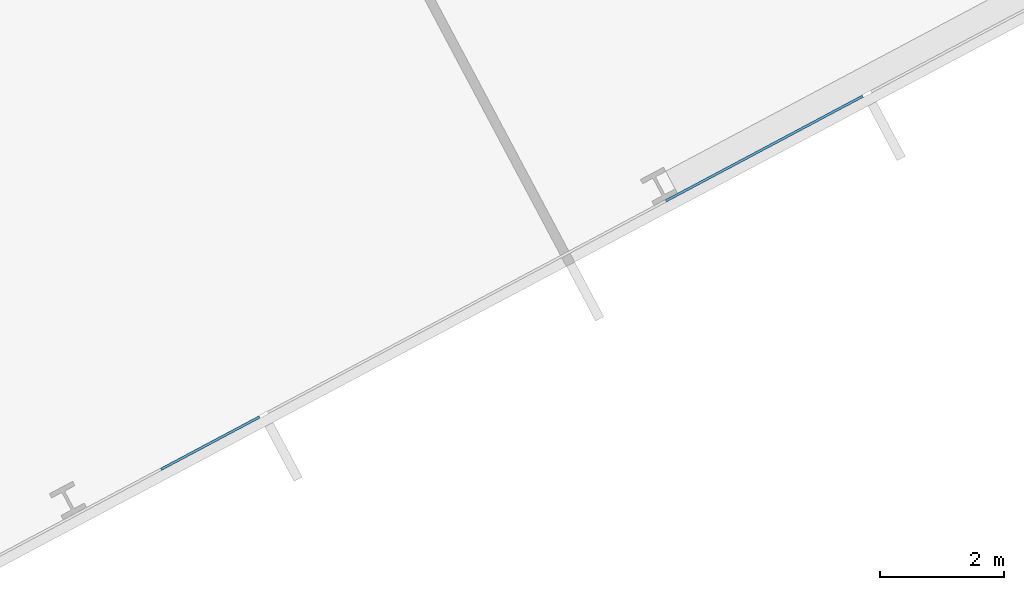
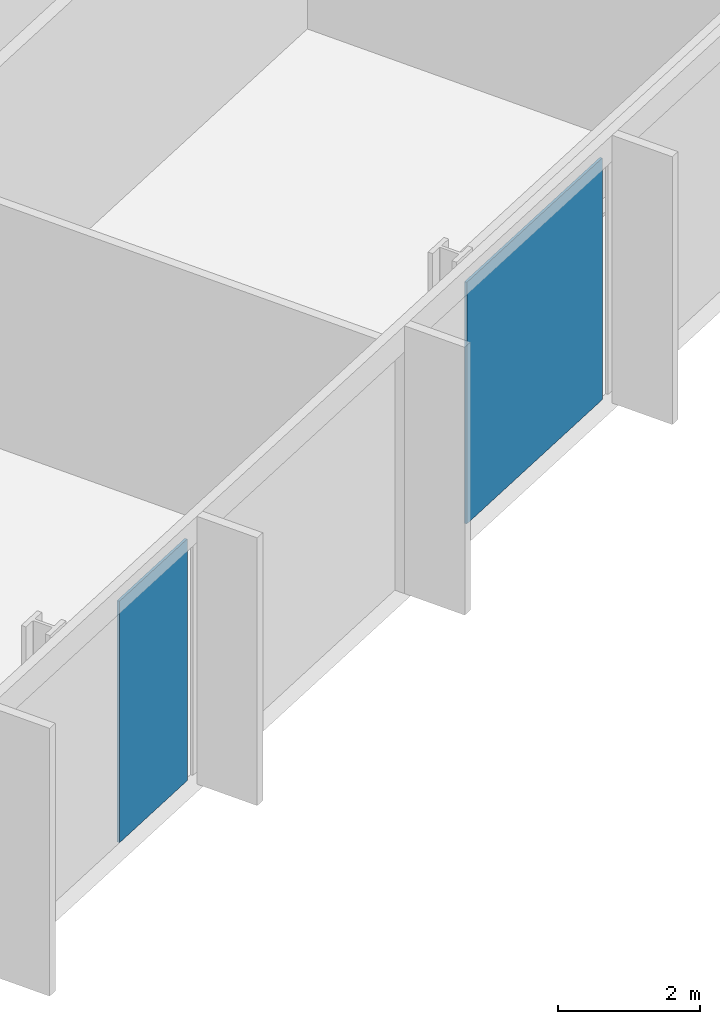
# One storey, part 11 of 31: 2 plates, 1 element without a shape of its own.
"""IFC4 building model written with IfcOpenShell, lengths in metres."""

from ifc_helpers import new_model, si_unit, direction, frame, origin, origin_2d, place, context, subcontext, project, spatial, rectangle, extrude, material, layer, layer_set, type_object, element, aggregate, save


model = new_model("IFC4")

# Units and contexts
model_context = context("Model", 3, precision=1e-05, world=origin(), true_north=direction((0.0, 1.0)))
body_context = subcontext(model_context, "Body", "Model", "MODEL_VIEW")
ifc_project = project(units=[si_unit("LENGTHUNIT", "METRE"), si_unit("AREAUNIT", "SQUARE_METRE"), si_unit("VOLUMEUNIT", "CUBIC_METRE"), si_unit("PLANEANGLEUNIT", "RADIAN"), si_unit("MASSUNIT", "GRAM", prefix="KILO")], contexts=[model_context])

# Site, building, storey
site_placement = place(None, origin())
site = spatial("IfcSite", under=ifc_project, at=site_placement, CompositionType="ELEMENT")
building_placement = place(site_placement, origin())
building = spatial("IfcBuilding", under=site, at=building_placement, Name="Cormorant Relay Tower", CompositionType="ELEMENT")
storey_placement = place(building_placement, frame((0.0, 0.0, 98.39990234375)))
storey = spatial("IfcBuildingStorey", under=building, at=storey_placement, Name="L19", CompositionType="ELEMENT", Elevation=98.39990234375)

# Curtain wall, plates
ifc_material_1 = material(Name="Aluminium 6063-T6 anodised bronze", Category="aluminium")
ifc_layer_1 = layer(ifc_material_1, 0.199951171875)
ifc_layer_set_1 = layer_set([ifc_layer_1], Name="CW1 unitised bronze curtain wall with vertical fins")
curtain_wall_type = type_object("IfcCurtainWallType", Name="CW1 unitised bronze curtain wall with vertical fins", PredefinedType="NOTDEFINED", material=ifc_layer_set_1)
curtain_wall_placement = place(storey_placement, origin())
curtain_wall = element("IfcCurtainWall", 1, at=curtain_wall_placement, inside=storey, type_object=curtain_wall_type, Name="CW1 curtain wall 2", PredefinedType="NOTDEFINED")
ifc_material_2 = material(Name="Tinted laminated glass", Category="glass")
ifc_layer_2 = layer(ifc_material_2, 0.0400390625)
ifc_layer_set_2 = layer_set([ifc_layer_2], Name="CW1 tinted vision panel 1800 module")
plate_type_1 = type_object("IfcPlateType", Name="CW1 tinted vision panel 1800 module", PredefinedType="CURTAIN_PANEL", material=ifc_layer_set_2)
plate_1_placement = place(storey_placement, frame((45.597412109375, 0.43798828125, 0.000244140625), z_axis=(0.0, 0.0, 1.0), x_axis=(0.882947592859, 0.469471562786, 0.0)))
plate_1 = element("IfcPlate", 2, at=plate_1_placement, type_object=plate_type_1, Name="CW1 panel V08", PredefinedType="CURTAIN_PANEL", context=body_context, shape_type="SweptSolid", body=[
    extrude(rectangle(XDim=1.800048828125, YDim=0.0400390625, at=origin_2d()), origin(), (0.0, 0.0, 1.0), 4.14990234375),
])
ifc_material_3 = material(Name="Tinted laminated glass", Category="glass")
ifc_layer_3 = layer(ifc_material_3, 0.0400390625)
ifc_layer_set_3 = layer_set([ifc_layer_3], Name="CW1 tinted vision panel 3600 module")
plate_type_2 = type_object("IfcPlateType", Name="CW1 tinted vision panel 3600 module", PredefinedType="CURTAIN_PANEL", material=ifc_layer_set_3)
plate_2_placement = place(storey_placement, frame((54.5361328125, 5.190673828125, 0.000244140625), z_axis=(0.0, 0.0, 1.0), x_axis=(0.882947592859, 0.469471562786, 0.0)))
plate_2 = element("IfcPlate", 3, at=plate_2_placement, type_object=plate_type_2, Name="CW1 panel V10", PredefinedType="CURTAIN_PANEL", context=body_context, shape_type="SweptSolid", body=[
    extrude(rectangle(XDim=3.60009765625, YDim=0.0400390625, at=origin_2d()), origin(), (0.0, 0.0, 1.0), 4.14990234375),
])
aggregate(curtain_wall, [plate_1, plate_2])

save(model, "model.ifc")
